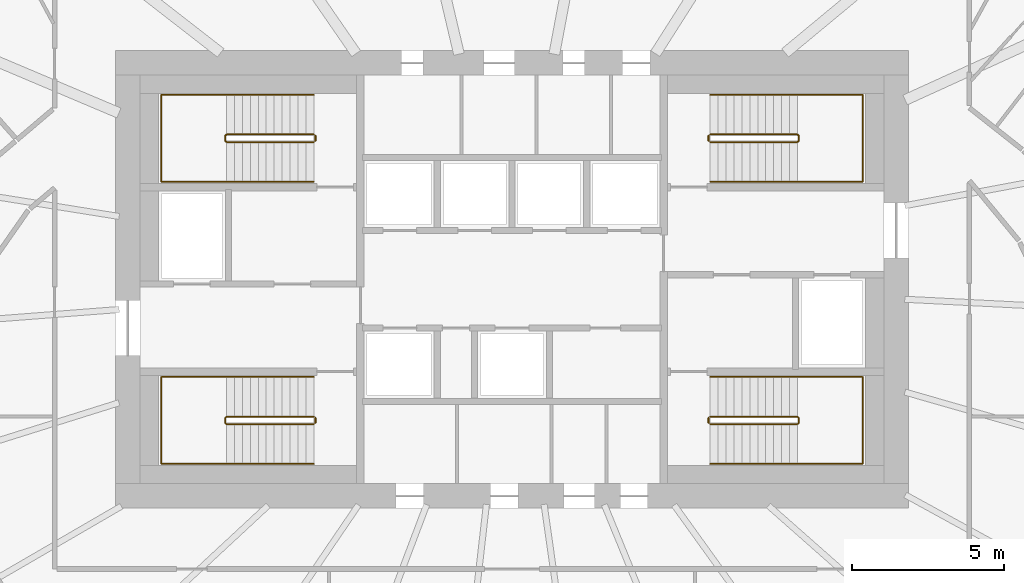
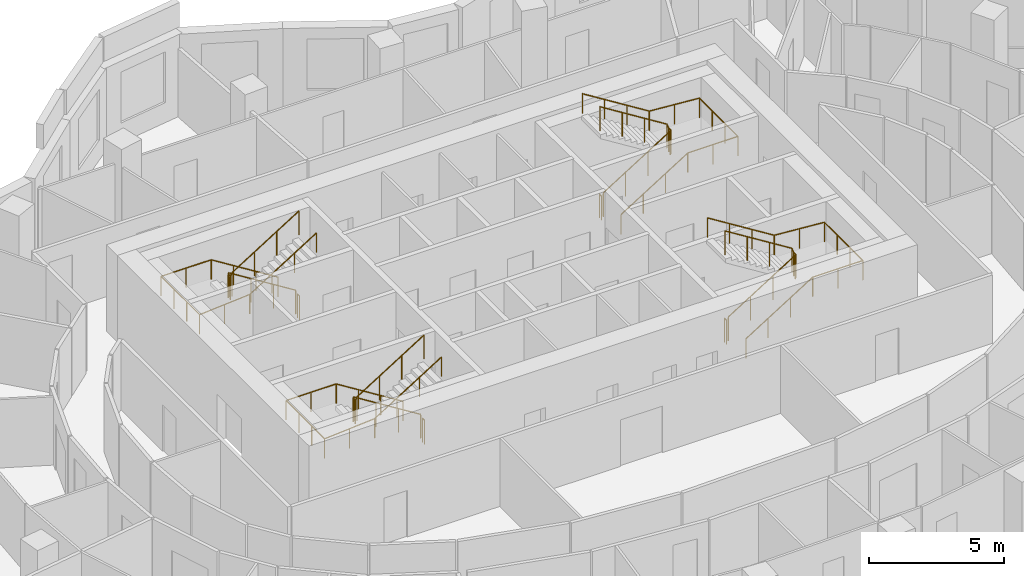
# One storey, part 12 of 12: 12 railings.
"""IFC4 building model written with IfcOpenShell, lengths in metres."""

from ifc_helpers import new_model, si_unit, direction, frame, origin, origin_2d, place, context, subcontext, project, spatial, circle, extrude, material, type_object, element, save


model = new_model("IFC4")

# Units and contexts
model_context = context("Model", 3, precision=1e-05, world=origin(), true_north=direction((0.0, 1.0)))
body_context = subcontext(model_context, "Body", "Model", "MODEL_VIEW")
ifc_project = project(units=[si_unit("LENGTHUNIT", "METRE"), si_unit("AREAUNIT", "SQUARE_METRE"), si_unit("VOLUMEUNIT", "CUBIC_METRE"), si_unit("PLANEANGLEUNIT", "RADIAN"), si_unit("MASSUNIT", "GRAM", prefix="KILO")], contexts=[model_context])

# Site, building, storey
site_placement = place(None, origin())
site = spatial("IfcSite", under=ifc_project, at=site_placement, CompositionType="ELEMENT")
building_placement = place(site_placement, origin())
building = spatial("IfcBuilding", under=site, at=building_placement, Name="Rubra Terraces Tower", CompositionType="ELEMENT")
storey_placement = place(building_placement, frame((0.0, 0.0, 201.300048828125)))
storey = spatial("IfcBuildingStorey", under=building, at=storey_placement, Name="L49", CompositionType="ELEMENT", Elevation=201.300048828125)

# Railings
ifc_material = material(Name="Stainless steel", Category="steel")
railing_type_1 = type_object("IfcRailingType", Name="Core stair guard 1100", PredefinedType="GUARDRAIL", material=ifc_material)
railing_1_placement = place(storey_placement, frame((-6.5, 0.0, 0.162353515625)))
element("IfcRailing", 1, at=railing_1_placement, inside=storey, type_object=railing_type_1, Name="L49 stair S1 guard 1", PredefinedType="GUARDRAIL", context=body_context, shape_type="SweptSolid", body=[
    extrude(circle(Radius=0.02392578125, at=origin_2d()), frame((0.0, 0.0, 1.076171875), z_axis=(-0.847994237388, 0.0, 0.530005446535), x_axis=(0.0, -1.0, 0.0)), (0.0, 0.0, 1.0), 3.372802734375),
    extrude(circle(Radius=0.02392578125, at=origin_2d()), frame((-2.860107421875, 0.0, 2.86376953125), z_axis=(-0.705375805398, -0.708833529934, 0.0), x_axis=(0.708833529934, -0.705375805398, 0.0)), (0.0, 0.0, 1.0), 0.070556640625),
    extrude(circle(Radius=0.02392578125, at=origin_2d()), frame((-2.909912109375, -0.050048828125, 2.86376953125), z_axis=(0.0, -1.0, 0.0), x_axis=(1.0, 0.0, 0.0)), (0.0, 0.0, 1.0), 0.14990234375),
    extrude(circle(Radius=0.02392578125, at=origin_2d()), frame((-2.909912109375, -0.199951171875, 2.86376953125), z_axis=(0.280959487676, -0.282336740067, 0.917250092119), x_axis=(0.708833529934, 0.705375805398, 0.0)), (0.0, 0.0, 1.0), 0.17724609375),
    extrude(circle(Radius=0.02392578125, at=origin_2d()), frame((-2.860107421875, -0.25, 3.0263671875), z_axis=(0.848026770018, 0.0, 0.529953391661), x_axis=(0.0, 1.0, 0.0)), (0.0, 0.0, 1.0), 3.37255859375),
    extrude(circle(Radius=0.02099609375, at=origin_2d()), origin(), (0.0, 0.0, 1.0), 1.052001953125),
    extrude(circle(Radius=0.02099609375, at=origin_2d()), frame((-0.953369140625, 0.0, 0.595947265625)), (0.0, 0.0, 1.0), 1.052001953125),
    extrude(circle(Radius=0.02099609375, at=origin_2d()), frame((-1.90673828125, 0.0, 1.191650390625)), (0.0, 0.0, 1.0), 1.052001953125),
    extrude(circle(Radius=0.02099609375, at=origin_2d()), frame((-2.860107421875, 0.0, 1.78759765625)), (0.0, 0.0, 1.0), 1.052001953125),
    extrude(circle(Radius=0.02099609375, at=origin_2d()), frame((-2.909912109375, -0.050048828125, 1.78759765625)), (0.0, 0.0, 1.0), 1.052001953125),
    extrude(circle(Radius=0.02099609375, at=origin_2d()), frame((-2.909912109375, -0.199951171875, 1.78759765625)), (0.0, 0.0, 1.0), 1.052001953125),
    extrude(circle(Radius=0.02099609375, at=origin_2d()), frame((-2.860107421875, -0.25, 1.9501953125)), (0.0, 0.0, 1.0), 1.052001953125),
    extrude(circle(Radius=0.02099609375, at=origin_2d()), frame((-1.90673828125, -0.25, 2.5458984375)), (0.0, 0.0, 1.0), 1.052001953125),
    extrude(circle(Radius=0.02099609375, at=origin_2d()), frame((-0.953369140625, -0.25, 3.141845703125)), (0.0, 0.0, 1.0), 1.052001953125),
    extrude(circle(Radius=0.02099609375, at=origin_2d()), frame((0.0, -0.25, 3.737548828125)), (0.0, 0.0, 1.0), 1.052001953125),
])
railing_2_placement = place(storey_placement, frame((-6.449951171875, -0.050048828125, 0.0)))
element("IfcRailing", 2, at=railing_2_placement, inside=storey, type_object=railing_type_1, Name="L49 stair S1 guard 2", PredefinedType="GUARDRAIL", context=body_context, shape_type="SweptSolid", body=[
    extrude(circle(Radius=0.02392578125, at=origin_2d()), frame((0.0, 0.0, 1.076171875), z_axis=(0.0, -1.0, 0.0), x_axis=(1.0, 0.0, 0.0)), (0.0, 0.0, 1.0), 0.14990234375),
    extrude(circle(Radius=0.02099609375, at=origin_2d()), origin(), (0.0, 0.0, 1.0), 1.052001953125),
    extrude(circle(Radius=0.02099609375, at=origin_2d()), frame((0.0, -0.14990234375, 0.0)), (0.0, 0.0, 1.0), 1.052001953125),
])
railing_3_placement = place(storey_placement, frame((-6.5, 9.25, 0.162353515625)))
element("IfcRailing", 3, at=railing_3_placement, inside=storey, type_object=railing_type_1, Name="L49 stair S2 guard 1", PredefinedType="GUARDRAIL", context=body_context, shape_type="SweptSolid", body=[
    extrude(circle(Radius=0.02392578125, at=origin_2d()), frame((0.0, 0.0, 1.076171875), z_axis=(-0.847994237388, 0.0, 0.530005446535), x_axis=(0.0, -1.0, 0.0)), (0.0, 0.0, 1.0), 3.372802734375),
    extrude(circle(Radius=0.02392578125, at=origin_2d()), frame((-2.860107421875, 0.0, 2.86376953125), z_axis=(-0.705375805398, -0.708833529934, 0.0), x_axis=(0.708833529934, -0.705375805398, 0.0)), (0.0, 0.0, 1.0), 0.070556640625),
    extrude(circle(Radius=0.02392578125, at=origin_2d()), frame((-2.909912109375, -0.050048828125, 2.86376953125), z_axis=(0.0, -1.0, 0.0), x_axis=(1.0, 0.0, 0.0)), (0.0, 0.0, 1.0), 0.14990234375),
    extrude(circle(Radius=0.02392578125, at=origin_2d()), frame((-2.909912109375, -0.199951171875, 2.86376953125), z_axis=(0.280959487676, -0.282336740067, 0.917250092119), x_axis=(0.708833529934, 0.705375805398, 0.0)), (0.0, 0.0, 1.0), 0.17724609375),
    extrude(circle(Radius=0.02392578125, at=origin_2d()), frame((-2.860107421875, -0.25, 3.0263671875), z_axis=(0.848026770018, 0.0, 0.529953391661), x_axis=(0.0, 1.0, 0.0)), (0.0, 0.0, 1.0), 3.37255859375),
    extrude(circle(Radius=0.02099609375, at=origin_2d()), origin(), (0.0, 0.0, 1.0), 1.052001953125),
    extrude(circle(Radius=0.02099609375, at=origin_2d()), frame((-0.953369140625, 0.0, 0.595947265625)), (0.0, 0.0, 1.0), 1.052001953125),
    extrude(circle(Radius=0.02099609375, at=origin_2d()), frame((-1.90673828125, 0.0, 1.191650390625)), (0.0, 0.0, 1.0), 1.052001953125),
    extrude(circle(Radius=0.02099609375, at=origin_2d()), frame((-2.860107421875, 0.0, 1.78759765625)), (0.0, 0.0, 1.0), 1.052001953125),
    extrude(circle(Radius=0.02099609375, at=origin_2d()), frame((-2.909912109375, -0.050048828125, 1.78759765625)), (0.0, 0.0, 1.0), 1.052001953125),
    extrude(circle(Radius=0.02099609375, at=origin_2d()), frame((-2.909912109375, -0.199951171875, 1.78759765625)), (0.0, 0.0, 1.0), 1.052001953125),
    extrude(circle(Radius=0.02099609375, at=origin_2d()), frame((-2.860107421875, -0.25, 1.9501953125)), (0.0, 0.0, 1.0), 1.052001953125),
    extrude(circle(Radius=0.02099609375, at=origin_2d()), frame((-1.90673828125, -0.25, 2.5458984375)), (0.0, 0.0, 1.0), 1.052001953125),
    extrude(circle(Radius=0.02099609375, at=origin_2d()), frame((-0.953369140625, -0.25, 3.141845703125)), (0.0, 0.0, 1.0), 1.052001953125),
    extrude(circle(Radius=0.02099609375, at=origin_2d()), frame((0.0, -0.25, 3.737548828125)), (0.0, 0.0, 1.0), 1.052001953125),
])
railing_4_placement = place(storey_placement, frame((-6.449951171875, 9.199951171875, 0.0)))
element("IfcRailing", 4, at=railing_4_placement, inside=storey, type_object=railing_type_1, Name="L49 stair S2 guard 2", PredefinedType="GUARDRAIL", context=body_context, shape_type="SweptSolid", body=[
    extrude(circle(Radius=0.02392578125, at=origin_2d()), frame((0.0, 0.0, 1.076171875), z_axis=(0.0, -1.0, 0.0), x_axis=(1.0, 0.0, 0.0)), (0.0, 0.0, 1.0), 0.14990234375),
    extrude(circle(Radius=0.02099609375, at=origin_2d()), origin(), (0.0, 0.0, 1.0), 1.052001953125),
    extrude(circle(Radius=0.02099609375, at=origin_2d()), frame((0.0, -0.14990234375, 0.0)), (0.0, 0.0, 1.0), 1.052001953125),
])
railing_5_placement = place(storey_placement, frame((6.5, 9.0, 0.162353515625)))
element("IfcRailing", 5, at=railing_5_placement, inside=storey, type_object=railing_type_1, Name="L49 stair S3 guard 1", PredefinedType="GUARDRAIL", context=body_context, shape_type="SweptSolid", body=[
    extrude(circle(Radius=0.02392578125, at=origin_2d()), frame((0.0, 0.0, 1.076171875), z_axis=(0.847994237388, 0.0, 0.530005446535), x_axis=(0.0, 1.0, 0.0)), (0.0, 0.0, 1.0), 3.372802734375),
    extrude(circle(Radius=0.02392578125, at=origin_2d()), frame((2.860107421875, 0.0, 2.86376953125), z_axis=(0.705375805398, 0.708833529934, 0.0), x_axis=(-0.708833529934, 0.705375805398, 0.0)), (0.0, 0.0, 1.0), 0.070556640625),
    extrude(circle(Radius=0.02392578125, at=origin_2d()), frame((2.909912109375, 0.050048828125, 2.86376953125), z_axis=(0.0, 1.0, 0.0), x_axis=(-1.0, 0.0, 0.0)), (0.0, 0.0, 1.0), 0.14990234375),
    extrude(circle(Radius=0.02392578125, at=origin_2d()), frame((2.909912109375, 0.199951171875, 2.86376953125), z_axis=(-0.280959487676, 0.282336740067, 0.917250092119), x_axis=(-0.708833529934, -0.705375805398, 0.0)), (0.0, 0.0, 1.0), 0.17724609375),
    extrude(circle(Radius=0.02392578125, at=origin_2d()), frame((2.860107421875, 0.25, 3.0263671875), z_axis=(-0.848026770018, 0.0, 0.529953391661), x_axis=(0.0, -1.0, 0.0)), (0.0, 0.0, 1.0), 3.37255859375),
    extrude(circle(Radius=0.02099609375, at=origin_2d()), origin(), (0.0, 0.0, 1.0), 1.052001953125),
    extrude(circle(Radius=0.02099609375, at=origin_2d()), frame((0.953369140625, 0.0, 0.595947265625)), (0.0, 0.0, 1.0), 1.052001953125),
    extrude(circle(Radius=0.02099609375, at=origin_2d()), frame((1.90673828125, 0.0, 1.191650390625)), (0.0, 0.0, 1.0), 1.052001953125),
    extrude(circle(Radius=0.02099609375, at=origin_2d()), frame((2.860107421875, 0.0, 1.78759765625)), (0.0, 0.0, 1.0), 1.052001953125),
    extrude(circle(Radius=0.02099609375, at=origin_2d()), frame((2.909912109375, 0.050048828125, 1.78759765625)), (0.0, 0.0, 1.0), 1.052001953125),
    extrude(circle(Radius=0.02099609375, at=origin_2d()), frame((2.909912109375, 0.199951171875, 1.78759765625)), (0.0, 0.0, 1.0), 1.052001953125),
    extrude(circle(Radius=0.02099609375, at=origin_2d()), frame((2.860107421875, 0.25, 1.9501953125)), (0.0, 0.0, 1.0), 1.052001953125),
    extrude(circle(Radius=0.02099609375, at=origin_2d()), frame((1.90673828125, 0.25, 2.5458984375)), (0.0, 0.0, 1.0), 1.052001953125),
    extrude(circle(Radius=0.02099609375, at=origin_2d()), frame((0.953369140625, 0.25, 3.141845703125)), (0.0, 0.0, 1.0), 1.052001953125),
    extrude(circle(Radius=0.02099609375, at=origin_2d()), frame((0.0, 0.25, 3.737548828125)), (0.0, 0.0, 1.0), 1.052001953125),
])
railing_6_placement = place(storey_placement, frame((6.449951171875, 9.050048828125, 0.0)))
element("IfcRailing", 6, at=railing_6_placement, inside=storey, type_object=railing_type_1, Name="L49 stair S3 guard 2", PredefinedType="GUARDRAIL", context=body_context, shape_type="SweptSolid", body=[
    extrude(circle(Radius=0.02392578125, at=origin_2d()), frame((0.0, 0.0, 1.076171875), z_axis=(0.0, 1.0, 0.0), x_axis=(-1.0, 0.0, 0.0)), (0.0, 0.0, 1.0), 0.14990234375),
    extrude(circle(Radius=0.02099609375, at=origin_2d()), origin(), (0.0, 0.0, 1.0), 1.052001953125),
    extrude(circle(Radius=0.02099609375, at=origin_2d()), frame((0.0, 0.14990234375, 0.0)), (0.0, 0.0, 1.0), 1.052001953125),
])
railing_7_placement = place(storey_placement, frame((6.5, -0.25, 0.162353515625)))
element("IfcRailing", 7, at=railing_7_placement, inside=storey, type_object=railing_type_1, Name="L49 stair S4 guard 1", PredefinedType="GUARDRAIL", context=body_context, shape_type="SweptSolid", body=[
    extrude(circle(Radius=0.02392578125, at=origin_2d()), frame((0.0, 0.0, 1.076171875), z_axis=(0.847994237388, 0.0, 0.530005446535), x_axis=(0.0, 1.0, 0.0)), (0.0, 0.0, 1.0), 3.372802734375),
    extrude(circle(Radius=0.02392578125, at=origin_2d()), frame((2.860107421875, 0.0, 2.86376953125), z_axis=(0.705375805398, 0.708833529934, 0.0), x_axis=(-0.708833529934, 0.705375805398, 0.0)), (0.0, 0.0, 1.0), 0.070556640625),
    extrude(circle(Radius=0.02392578125, at=origin_2d()), frame((2.909912109375, 0.050048828125, 2.86376953125), z_axis=(0.0, 1.0, 0.0), x_axis=(-1.0, 0.0, 0.0)), (0.0, 0.0, 1.0), 0.14990234375),
    extrude(circle(Radius=0.02392578125, at=origin_2d()), frame((2.909912109375, 0.199951171875, 2.86376953125), z_axis=(-0.280959487676, 0.282336740067, 0.917250092119), x_axis=(-0.708833529934, -0.705375805398, 0.0)), (0.0, 0.0, 1.0), 0.17724609375),
    extrude(circle(Radius=0.02392578125, at=origin_2d()), frame((2.860107421875, 0.25, 3.0263671875), z_axis=(-0.848026770018, 0.0, 0.529953391661), x_axis=(0.0, -1.0, 0.0)), (0.0, 0.0, 1.0), 3.37255859375),
    extrude(circle(Radius=0.02099609375, at=origin_2d()), origin(), (0.0, 0.0, 1.0), 1.052001953125),
    extrude(circle(Radius=0.02099609375, at=origin_2d()), frame((0.953369140625, 0.0, 0.595947265625)), (0.0, 0.0, 1.0), 1.052001953125),
    extrude(circle(Radius=0.02099609375, at=origin_2d()), frame((1.90673828125, 0.0, 1.191650390625)), (0.0, 0.0, 1.0), 1.052001953125),
    extrude(circle(Radius=0.02099609375, at=origin_2d()), frame((2.860107421875, 0.0, 1.78759765625)), (0.0, 0.0, 1.0), 1.052001953125),
    extrude(circle(Radius=0.02099609375, at=origin_2d()), frame((2.909912109375, 0.050048828125, 1.78759765625)), (0.0, 0.0, 1.0), 1.052001953125),
    extrude(circle(Radius=0.02099609375, at=origin_2d()), frame((2.909912109375, 0.199951171875, 1.78759765625)), (0.0, 0.0, 1.0), 1.052001953125),
    extrude(circle(Radius=0.02099609375, at=origin_2d()), frame((2.860107421875, 0.25, 1.9501953125)), (0.0, 0.0, 1.0), 1.052001953125),
    extrude(circle(Radius=0.02099609375, at=origin_2d()), frame((1.90673828125, 0.25, 2.5458984375)), (0.0, 0.0, 1.0), 1.052001953125),
    extrude(circle(Radius=0.02099609375, at=origin_2d()), frame((0.953369140625, 0.25, 3.141845703125)), (0.0, 0.0, 1.0), 1.052001953125),
    extrude(circle(Radius=0.02099609375, at=origin_2d()), frame((0.0, 0.25, 3.737548828125)), (0.0, 0.0, 1.0), 1.052001953125),
])
railing_8_placement = place(storey_placement, frame((6.449951171875, -0.199951171875, 0.0)))
element("IfcRailing", 8, at=railing_8_placement, inside=storey, type_object=railing_type_1, Name="L49 stair S4 guard 2", PredefinedType="GUARDRAIL", context=body_context, shape_type="SweptSolid", body=[
    extrude(circle(Radius=0.02392578125, at=origin_2d()), frame((0.0, 0.0, 1.076171875), z_axis=(0.0, 1.0, 0.0), x_axis=(-1.0, 0.0, 0.0)), (0.0, 0.0, 1.0), 0.14990234375),
    extrude(circle(Radius=0.02099609375, at=origin_2d()), origin(), (0.0, 0.0, 1.0), 1.052001953125),
    extrude(circle(Radius=0.02099609375, at=origin_2d()), frame((0.0, 0.14990234375, 0.0)), (0.0, 0.0, 1.0), 1.052001953125),
])
railing_type_2 = type_object("IfcRailingType", Name="Core stair handrail 900", PredefinedType="HANDRAIL", material=ifc_material)
railing_9_placement = place(storey_placement, frame((-6.5, 1.300048828125, 0.162353515625)))
element("IfcRailing", 9, at=railing_9_placement, inside=storey, type_object=railing_type_2, Name="L49 stair S1 handrail 1", PredefinedType="HANDRAIL", context=body_context, shape_type="SweptSolid", body=[
    extrude(circle(Radius=0.02392578125, at=origin_2d()), frame((0.0, 0.0, 0.8759765625), z_axis=(-0.847994237388, 0.0, 0.530005446535), x_axis=(0.0, -1.0, 0.0)), (0.0, 0.0, 1.0), 3.372802734375),
    extrude(circle(Radius=0.02392578125, at=origin_2d()), frame((-2.860107421875, 0.0, 2.66357421875), z_axis=(-1.0, 0.0, 0.0), x_axis=(0.0, -1.0, 0.0)), (0.0, 0.0, 1.0), 2.139892578125),
    extrude(circle(Radius=0.02392578125, at=origin_2d()), frame((-5.0, 0.0, 2.66357421875), z_axis=(0.0, -1.0, 0.0), x_axis=(1.0, 0.0, 0.0)), (0.0, 0.0, 1.0), 2.85009765625),
    extrude(circle(Radius=0.02392578125, at=origin_2d()), frame((-5.0, -2.85009765625, 2.66357421875), z_axis=(0.997125654253, 0.0, 0.075765623016), x_axis=(0.0, 1.0, 0.0)), (0.0, 0.0, 1.0), 2.14599609375),
    extrude(circle(Radius=0.02392578125, at=origin_2d()), frame((-2.860107421875, -2.85009765625, 2.826171875), z_axis=(0.848026770018, 0.0, 0.529953391661), x_axis=(0.0, 1.0, 0.0)), (0.0, 0.0, 1.0), 3.37255859375),
    extrude(circle(Radius=0.02099609375, at=origin_2d()), origin(), (0.0, 0.0, 1.0), 0.851806640625),
    extrude(circle(Radius=0.02099609375, at=origin_2d()), frame((-0.953369140625, 0.0, 0.595947265625)), (0.0, 0.0, 1.0), 0.851806640625),
    extrude(circle(Radius=0.02099609375, at=origin_2d()), frame((-1.90673828125, 0.0, 1.191650390625)), (0.0, 0.0, 1.0), 0.851806640625),
    extrude(circle(Radius=0.02099609375, at=origin_2d()), frame((-2.860107421875, 0.0, 1.78759765625)), (0.0, 0.0, 1.0), 0.851806640625),
    extrude(circle(Radius=0.02099609375, at=origin_2d()), frame((-3.93017578125, 0.0, 1.78759765625)), (0.0, 0.0, 1.0), 0.851806640625),
    extrude(circle(Radius=0.02099609375, at=origin_2d()), frame((-5.0, 0.0, 1.78759765625)), (0.0, 0.0, 1.0), 0.851806640625),
    extrude(circle(Radius=0.02099609375, at=origin_2d()), frame((-5.0, -0.949951171875, 1.78759765625)), (0.0, 0.0, 1.0), 0.851806640625),
    extrude(circle(Radius=0.02099609375, at=origin_2d()), frame((-5.0, -1.900146484375, 1.78759765625)), (0.0, 0.0, 1.0), 0.851806640625),
    extrude(circle(Radius=0.02099609375, at=origin_2d()), frame((-5.0, -2.85009765625, 1.78759765625)), (0.0, 0.0, 1.0), 0.851806640625),
    extrude(circle(Radius=0.02099609375, at=origin_2d()), frame((-3.93017578125, -2.85009765625, 1.868896484375)), (0.0, 0.0, 1.0), 0.851806640625),
    extrude(circle(Radius=0.02099609375, at=origin_2d()), frame((-2.860107421875, -2.85009765625, 1.9501953125)), (0.0, 0.0, 1.0), 0.851806640625),
    extrude(circle(Radius=0.02099609375, at=origin_2d()), frame((-1.90673828125, -2.85009765625, 2.5458984375)), (0.0, 0.0, 1.0), 0.851806640625),
    extrude(circle(Radius=0.02099609375, at=origin_2d()), frame((-0.953369140625, -2.85009765625, 3.141845703125)), (0.0, 0.0, 1.0), 0.851806640625),
    extrude(circle(Radius=0.02099609375, at=origin_2d()), frame((0.0, -2.85009765625, 3.737548828125)), (0.0, 0.0, 1.0), 0.851806640625),
])
railing_10_placement = place(storey_placement, frame((-6.5, 10.550048828125, 0.162353515625)))
element("IfcRailing", 10, at=railing_10_placement, inside=storey, type_object=railing_type_2, Name="L49 stair S2 handrail 1", PredefinedType="HANDRAIL", context=body_context, shape_type="SweptSolid", body=[
    extrude(circle(Radius=0.02392578125, at=origin_2d()), frame((0.0, 0.0, 0.8759765625), z_axis=(-0.847994237388, 0.0, 0.530005446535), x_axis=(0.0, -1.0, 0.0)), (0.0, 0.0, 1.0), 3.372802734375),
    extrude(circle(Radius=0.02392578125, at=origin_2d()), frame((-2.860107421875, 0.0, 2.66357421875), z_axis=(-1.0, 0.0, 0.0), x_axis=(0.0, -1.0, 0.0)), (0.0, 0.0, 1.0), 2.139892578125),
    extrude(circle(Radius=0.02392578125, at=origin_2d()), frame((-5.0, 0.0, 2.66357421875), z_axis=(0.0, -1.0, 0.0), x_axis=(1.0, 0.0, 0.0)), (0.0, 0.0, 1.0), 2.85009765625),
    extrude(circle(Radius=0.02392578125, at=origin_2d()), frame((-5.0, -2.85009765625, 2.66357421875), z_axis=(0.997125654253, 0.0, 0.075765623016), x_axis=(0.0, 1.0, 0.0)), (0.0, 0.0, 1.0), 2.14599609375),
    extrude(circle(Radius=0.02392578125, at=origin_2d()), frame((-2.860107421875, -2.85009765625, 2.826171875), z_axis=(0.848026770018, 0.0, 0.529953391661), x_axis=(0.0, 1.0, 0.0)), (0.0, 0.0, 1.0), 3.37255859375),
    extrude(circle(Radius=0.02099609375, at=origin_2d()), origin(), (0.0, 0.0, 1.0), 0.851806640625),
    extrude(circle(Radius=0.02099609375, at=origin_2d()), frame((-0.953369140625, 0.0, 0.595947265625)), (0.0, 0.0, 1.0), 0.851806640625),
    extrude(circle(Radius=0.02099609375, at=origin_2d()), frame((-1.90673828125, 0.0, 1.191650390625)), (0.0, 0.0, 1.0), 0.851806640625),
    extrude(circle(Radius=0.02099609375, at=origin_2d()), frame((-2.860107421875, 0.0, 1.78759765625)), (0.0, 0.0, 1.0), 0.851806640625),
    extrude(circle(Radius=0.02099609375, at=origin_2d()), frame((-3.93017578125, 0.0, 1.78759765625)), (0.0, 0.0, 1.0), 0.851806640625),
    extrude(circle(Radius=0.02099609375, at=origin_2d()), frame((-5.0, 0.0, 1.78759765625)), (0.0, 0.0, 1.0), 0.851806640625),
    extrude(circle(Radius=0.02099609375, at=origin_2d()), frame((-5.0, -0.949951171875, 1.78759765625)), (0.0, 0.0, 1.0), 0.851806640625),
    extrude(circle(Radius=0.02099609375, at=origin_2d()), frame((-5.0, -1.900146484375, 1.78759765625)), (0.0, 0.0, 1.0), 0.851806640625),
    extrude(circle(Radius=0.02099609375, at=origin_2d()), frame((-5.0, -2.85009765625, 1.78759765625)), (0.0, 0.0, 1.0), 0.851806640625),
    extrude(circle(Radius=0.02099609375, at=origin_2d()), frame((-3.93017578125, -2.85009765625, 1.868896484375)), (0.0, 0.0, 1.0), 0.851806640625),
    extrude(circle(Radius=0.02099609375, at=origin_2d()), frame((-2.860107421875, -2.85009765625, 1.9501953125)), (0.0, 0.0, 1.0), 0.851806640625),
    extrude(circle(Radius=0.02099609375, at=origin_2d()), frame((-1.90673828125, -2.85009765625, 2.5458984375)), (0.0, 0.0, 1.0), 0.851806640625),
    extrude(circle(Radius=0.02099609375, at=origin_2d()), frame((-0.953369140625, -2.85009765625, 3.141845703125)), (0.0, 0.0, 1.0), 0.851806640625),
    extrude(circle(Radius=0.02099609375, at=origin_2d()), frame((0.0, -2.85009765625, 3.737548828125)), (0.0, 0.0, 1.0), 0.851806640625),
])
railing_11_placement = place(storey_placement, frame((6.5, 7.699951171875, 0.162353515625)))
element("IfcRailing", 11, at=railing_11_placement, inside=storey, type_object=railing_type_2, Name="L49 stair S3 handrail 1", PredefinedType="HANDRAIL", context=body_context, shape_type="SweptSolid", body=[
    extrude(circle(Radius=0.02392578125, at=origin_2d()), frame((0.0, 0.0, 0.8759765625), z_axis=(0.847994237388, 0.0, 0.530005446535), x_axis=(0.0, 1.0, 0.0)), (0.0, 0.0, 1.0), 3.372802734375),
    extrude(circle(Radius=0.02392578125, at=origin_2d()), frame((2.860107421875, 0.0, 2.66357421875), z_axis=(1.0, 0.0, 0.0), x_axis=(0.0, 1.0, 0.0)), (0.0, 0.0, 1.0), 2.139892578125),
    extrude(circle(Radius=0.02392578125, at=origin_2d()), frame((5.0, 0.0, 2.66357421875), z_axis=(0.0, 1.0, 0.0), x_axis=(-1.0, 0.0, 0.0)), (0.0, 0.0, 1.0), 2.85009765625),
    extrude(circle(Radius=0.02392578125, at=origin_2d()), frame((5.0, 2.85009765625, 2.66357421875), z_axis=(-0.997125654253, 0.0, 0.075765623016), x_axis=(0.0, -1.0, 0.0)), (0.0, 0.0, 1.0), 2.14599609375),
    extrude(circle(Radius=0.02392578125, at=origin_2d()), frame((2.860107421875, 2.85009765625, 2.826171875), z_axis=(-0.848026770018, 0.0, 0.529953391661), x_axis=(0.0, -1.0, 0.0)), (0.0, 0.0, 1.0), 3.37255859375),
    extrude(circle(Radius=0.02099609375, at=origin_2d()), origin(), (0.0, 0.0, 1.0), 0.851806640625),
    extrude(circle(Radius=0.02099609375, at=origin_2d()), frame((0.953369140625, 0.0, 0.595947265625)), (0.0, 0.0, 1.0), 0.851806640625),
    extrude(circle(Radius=0.02099609375, at=origin_2d()), frame((1.90673828125, 0.0, 1.191650390625)), (0.0, 0.0, 1.0), 0.851806640625),
    extrude(circle(Radius=0.02099609375, at=origin_2d()), frame((2.860107421875, 0.0, 1.78759765625)), (0.0, 0.0, 1.0), 0.851806640625),
    extrude(circle(Radius=0.02099609375, at=origin_2d()), frame((3.93017578125, 0.0, 1.78759765625)), (0.0, 0.0, 1.0), 0.851806640625),
    extrude(circle(Radius=0.02099609375, at=origin_2d()), frame((5.0, 0.0, 1.78759765625)), (0.0, 0.0, 1.0), 0.851806640625),
    extrude(circle(Radius=0.02099609375, at=origin_2d()), frame((5.0, 0.949951171875, 1.78759765625)), (0.0, 0.0, 1.0), 0.851806640625),
    extrude(circle(Radius=0.02099609375, at=origin_2d()), frame((5.0, 1.900146484375, 1.78759765625)), (0.0, 0.0, 1.0), 0.851806640625),
    extrude(circle(Radius=0.02099609375, at=origin_2d()), frame((5.0, 2.85009765625, 1.78759765625)), (0.0, 0.0, 1.0), 0.851806640625),
    extrude(circle(Radius=0.02099609375, at=origin_2d()), frame((3.93017578125, 2.85009765625, 1.868896484375)), (0.0, 0.0, 1.0), 0.851806640625),
    extrude(circle(Radius=0.02099609375, at=origin_2d()), frame((2.860107421875, 2.85009765625, 1.9501953125)), (0.0, 0.0, 1.0), 0.851806640625),
    extrude(circle(Radius=0.02099609375, at=origin_2d()), frame((1.90673828125, 2.85009765625, 2.5458984375)), (0.0, 0.0, 1.0), 0.851806640625),
    extrude(circle(Radius=0.02099609375, at=origin_2d()), frame((0.953369140625, 2.85009765625, 3.141845703125)), (0.0, 0.0, 1.0), 0.851806640625),
    extrude(circle(Radius=0.02099609375, at=origin_2d()), frame((0.0, 2.85009765625, 3.737548828125)), (0.0, 0.0, 1.0), 0.851806640625),
])
railing_12_placement = place(storey_placement, frame((6.5, -1.550048828125, 0.162353515625)))
element("IfcRailing", 12, at=railing_12_placement, inside=storey, type_object=railing_type_2, Name="L49 stair S4 handrail 1", PredefinedType="HANDRAIL", context=body_context, shape_type="SweptSolid", body=[
    extrude(circle(Radius=0.02392578125, at=origin_2d()), frame((0.0, 0.0, 0.8759765625), z_axis=(0.847994237388, 0.0, 0.530005446535), x_axis=(0.0, 1.0, 0.0)), (0.0, 0.0, 1.0), 3.372802734375),
    extrude(circle(Radius=0.02392578125, at=origin_2d()), frame((2.860107421875, 0.0, 2.66357421875), z_axis=(1.0, 0.0, 0.0), x_axis=(0.0, 1.0, 0.0)), (0.0, 0.0, 1.0), 2.139892578125),
    extrude(circle(Radius=0.02392578125, at=origin_2d()), frame((5.0, 0.0, 2.66357421875), z_axis=(0.0, 1.0, 0.0), x_axis=(-1.0, 0.0, 0.0)), (0.0, 0.0, 1.0), 2.85009765625),
    extrude(circle(Radius=0.02392578125, at=origin_2d()), frame((5.0, 2.85009765625, 2.66357421875), z_axis=(-0.997125654253, 0.0, 0.075765623016), x_axis=(0.0, -1.0, 0.0)), (0.0, 0.0, 1.0), 2.14599609375),
    extrude(circle(Radius=0.02392578125, at=origin_2d()), frame((2.860107421875, 2.85009765625, 2.826171875), z_axis=(-0.848026770018, 0.0, 0.529953391661), x_axis=(0.0, -1.0, 0.0)), (0.0, 0.0, 1.0), 3.37255859375),
    extrude(circle(Radius=0.02099609375, at=origin_2d()), origin(), (0.0, 0.0, 1.0), 0.851806640625),
    extrude(circle(Radius=0.02099609375, at=origin_2d()), frame((0.953369140625, 0.0, 0.595947265625)), (0.0, 0.0, 1.0), 0.851806640625),
    extrude(circle(Radius=0.02099609375, at=origin_2d()), frame((1.90673828125, 0.0, 1.191650390625)), (0.0, 0.0, 1.0), 0.851806640625),
    extrude(circle(Radius=0.02099609375, at=origin_2d()), frame((2.860107421875, 0.0, 1.78759765625)), (0.0, 0.0, 1.0), 0.851806640625),
    extrude(circle(Radius=0.02099609375, at=origin_2d()), frame((3.93017578125, 0.0, 1.78759765625)), (0.0, 0.0, 1.0), 0.851806640625),
    extrude(circle(Radius=0.02099609375, at=origin_2d()), frame((5.0, 0.0, 1.78759765625)), (0.0, 0.0, 1.0), 0.851806640625),
    extrude(circle(Radius=0.02099609375, at=origin_2d()), frame((5.0, 0.949951171875, 1.78759765625)), (0.0, 0.0, 1.0), 0.851806640625),
    extrude(circle(Radius=0.02099609375, at=origin_2d()), frame((5.0, 1.900146484375, 1.78759765625)), (0.0, 0.0, 1.0), 0.851806640625),
    extrude(circle(Radius=0.02099609375, at=origin_2d()), frame((5.0, 2.85009765625, 1.78759765625)), (0.0, 0.0, 1.0), 0.851806640625),
    extrude(circle(Radius=0.02099609375, at=origin_2d()), frame((3.93017578125, 2.85009765625, 1.868896484375)), (0.0, 0.0, 1.0), 0.851806640625),
    extrude(circle(Radius=0.02099609375, at=origin_2d()), frame((2.860107421875, 2.85009765625, 1.9501953125)), (0.0, 0.0, 1.0), 0.851806640625),
    extrude(circle(Radius=0.02099609375, at=origin_2d()), frame((1.90673828125, 2.85009765625, 2.5458984375)), (0.0, 0.0, 1.0), 0.851806640625),
    extrude(circle(Radius=0.02099609375, at=origin_2d()), frame((0.953369140625, 2.85009765625, 3.141845703125)), (0.0, 0.0, 1.0), 0.851806640625),
    extrude(circle(Radius=0.02099609375, at=origin_2d()), frame((0.0, 2.85009765625, 3.737548828125)), (0.0, 0.0, 1.0), 0.851806640625),
])

save(model, "model.ifc")
